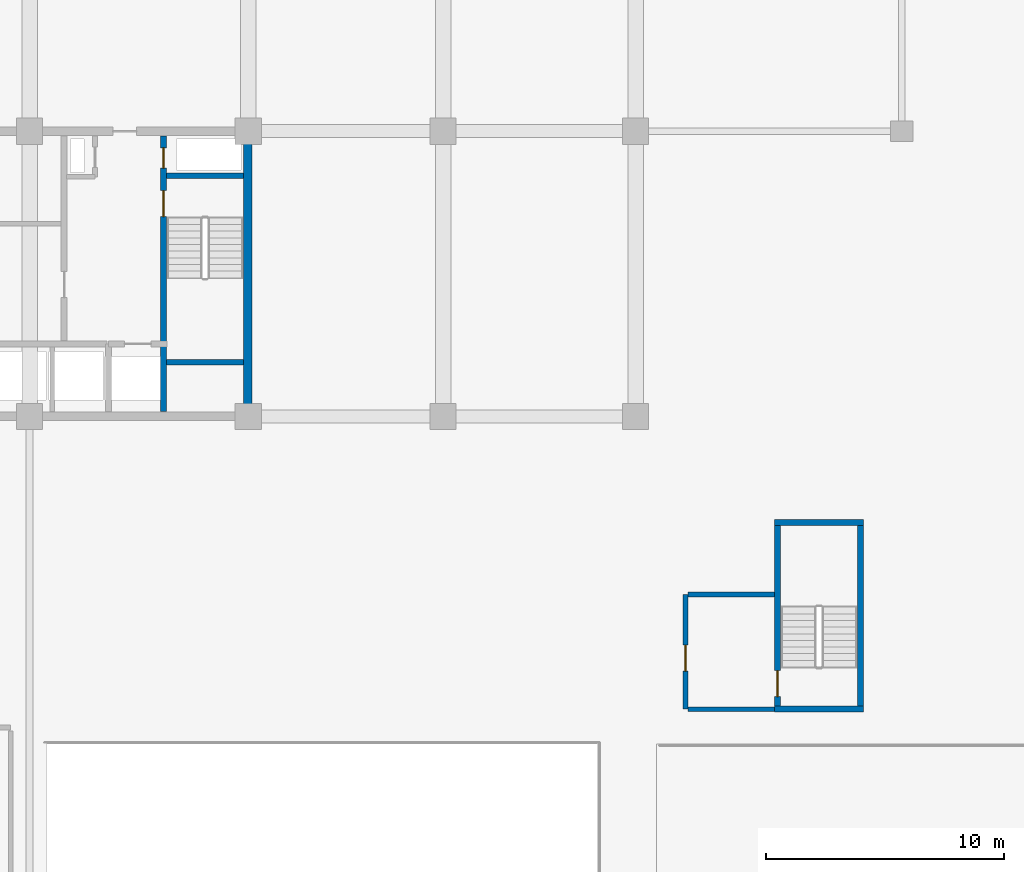
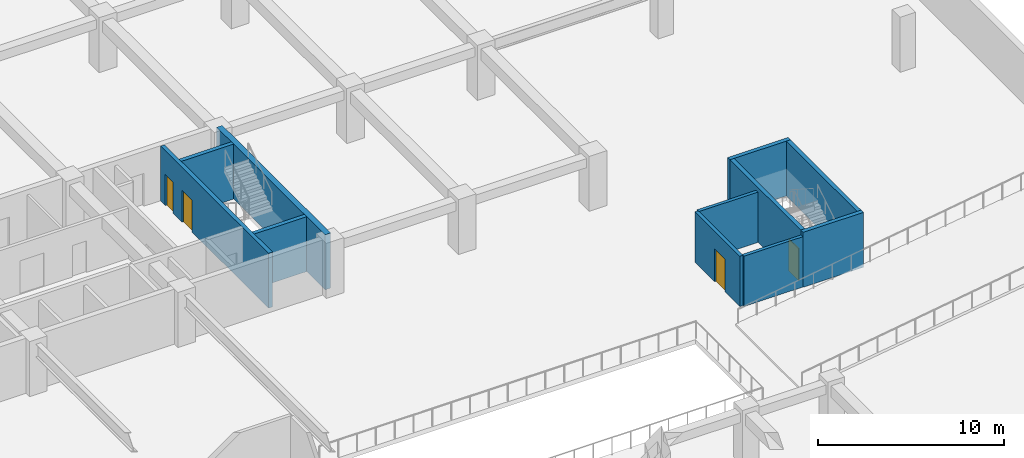
# One storey, part 11 of 23: 11 walls, 4 doors, 4 openings.
"""IFC4 building model written with IfcOpenShell, lengths in metres."""

from ifc_helpers import new_model, si_unit, direction, frame, frame_2d, origin, place, context, subcontext, project, spatial, rectangle, extrude, material, layer, layer_set, type_object, element, fill, save


model = new_model("IFC4")

# Units and contexts
model_context = context("Model", 3, precision=1e-05, world=origin(), true_north=direction((0.0, 1.0)))
body_context = subcontext(model_context, "Body", "Model", "MODEL_VIEW")
ifc_project = project(units=[si_unit("LENGTHUNIT", "METRE"), si_unit("AREAUNIT", "SQUARE_METRE"), si_unit("VOLUMEUNIT", "CUBIC_METRE"), si_unit("PLANEANGLEUNIT", "RADIAN"), si_unit("MASSUNIT", "GRAM", prefix="KILO")], contexts=[model_context])

# Site, building, storey
site_placement = place(None, origin())
site = spatial("IfcSite", under=ifc_project, at=site_placement, CompositionType="ELEMENT")
building_placement = place(site_placement, origin())
building = spatial("IfcBuilding", under=site, at=building_placement, Name="Korimba Cascade Residences", CompositionType="ELEMENT")
storey_placement = place(building_placement, frame((0.0, 0.0, -3.60009765625)))
storey = spatial("IfcBuildingStorey", under=building, at=storey_placement, Name="B01", CompositionType="ELEMENT", Elevation=-3.60009765625)

# Wall
ifc_material_1 = material(Name="Concrete C65/80", Category="concrete")
ifc_layer_1 = layer(ifc_material_1, 0.35009765625)
ifc_layer_set_1 = layer_set([ifc_layer_1], Name="Concrete C65/80")
wall_type_1 = type_object("IfcWallType", Name="WAL-CORE-350", PredefinedType="SHEAR", material=ifc_layer_set_1)
wall_1_placement = place(storey_placement, frame((112.074951171875, 55.375, 0.0), z_axis=(0.0, 0.0, 1.0), x_axis=(0.0, 1.0, 0.0)))
element("IfcWall", 1, at=wall_1_placement, inside=storey, type_object=wall_type_1, Name="B01 Core Shear Wall CW-B01-T1-E", PredefinedType="SHEAR", context=body_context, shape_type="SweptSolid", body=[
    extrude(rectangle(XDim=11.64990234375, YDim=0.35009765625, at=frame_2d((5.824951171875, 0.0))), origin(), (0.0, 0.0, 1.0), 3.60009765625),
])

# Wall, opening, door
ifc_material_2 = material(Name="Concrete C40/50", Category="concrete")
ifc_layer_2 = layer(ifc_material_2, 0.199951171875)
ifc_layer_set_2 = layer_set([ifc_layer_2], Name="Concrete C40/50")
wall_type_2 = type_object("IfcWallType", Name="WAL-PART-200", PredefinedType="PARTITIONING", material=ifc_layer_set_2)
wall_2_placement = place(storey_placement, frame((130.5, 42.875, 0.0), z_axis=(0.0, 0.0, 1.0), x_axis=(0.0, 1.0, 0.0)))
wall_2 = element("IfcWall", 2, at=wall_2_placement, inside=storey, type_object=wall_type_2, Name="B01 Partition Wall CW-B01-PLEW", PredefinedType="PARTITIONING", context=body_context, shape_type="SweptSolid", body=[
    extrude(rectangle(XDim=4.824951171875, YDim=0.199951171875, at=frame_2d((2.41259765625, 0.0))), origin(), (0.0, 0.0, 1.0), 3.300048828125),
])
opening_1_placement = place(wall_2_placement, frame((1.60009765625, 0.0, 0.0)))
opening_1 = element("IfcOpeningElement", 3, at=opening_1_placement, cuts=wall_2, Name="Opening D-FD6", PredefinedType="OPENING", context=body_context, shape_type="SweptSolid", body=[
    extrude(rectangle(XDim=1.10009765625, YDim=2.14990234375, at=frame_2d((0.550048828125, 1.074951171875))), frame((0.0, 0.10986328125, 0.0), z_axis=(0.0, -1.0, 0.0), x_axis=(1.0, 0.0, 0.0)), (0.0, 0.0, 1.0), 0.219970703125),
])
ifc_material_3 = material(Name="Fire-Rated Timber Stair Lobby Door", Category="wood")
door_type_1 = type_object("IfcDoorType", Name="DR-FD90-1100", OperationType="NOTDEFINED", PredefinedType="DOOR", material=ifc_material_3)
door_1_placement = place(opening_1_placement, origin())
door_1 = element("IfcDoor", 4, at=door_1_placement, inside=storey, type_object=door_type_1, Name="B01 East Stair Vestibule Door", OperationType="SINGLE_SWING_LEFT", OverallHeight=2.14990234375, OverallWidth=1.10009765625, PredefinedType="DOOR", context=body_context, shape_type="SweptSolid", body=[
    extrude(rectangle(XDim=1.10009765625, YDim=2.14990234375, at=frame_2d((0.550048828125, 1.074951171875))), frame((0.0, 0.02490234375, 0.0), z_axis=(0.0, -1.0, 0.0), x_axis=(1.0, 0.0, 0.0)), (0.0, 0.0, 1.0), 0.050048828125),
])
fill(opening_1, door_1)

# Walls
for number, where, z_axis, x_axis, name in (
    (5, (130.60009765625, 42.875, 0.0), (0.0, 0.0, 1.0), (1.0, 0.0, 0.0), "B01 Partition Wall CW-B01-PLES"),
    (6, (130.60009765625, 47.699951171875, 0.0), (0.0, 0.0, 1.0), (1.0, 0.0, 0.0), "B01 Partition Wall CW-B01-PLEN"),
):
    element("IfcWall", number, at=place(storey_placement, frame(where, z_axis=z_axis, x_axis=x_axis)), inside=storey, type_object=wall_type_2, Name=name, PredefinedType="PARTITIONING", context=body_context, shape_type="SweptSolid", body=[
        extrude(rectangle(XDim=3.64990234375, YDim=0.199951171875, at=frame_2d((1.824951171875, 0.0))), origin(), (0.0, 0.0, 1.0), 3.300048828125),
    ])

# Wall, openings, doors
ifc_material_4 = material(Name="Concrete C50/60", Category="concrete")
ifc_layer_3 = layer(ifc_material_4, 0.25)
ifc_layer_set_3 = layer_set([ifc_layer_3], Name="Concrete C50/60")
wall_type_3 = type_object("IfcWallType", Name="WAL-SHAFT-250", PredefinedType="SHEAR", material=ifc_layer_set_3)
wall_3_placement = place(storey_placement, frame((108.534912109375, 55.39990234375, 0.0), z_axis=(0.0, 0.0, 1.0), x_axis=(0.0, 1.0, 0.0)))
wall_3 = element("IfcWall", 7, at=wall_3_placement, inside=storey, type_object=wall_type_3, Name="B01 Core Shear Wall CW-B01-T1-STW2W", PredefinedType="SHEAR", context=body_context, shape_type="SweptSolid", body=[
    extrude(rectangle(XDim=11.60009765625, YDim=0.25, at=frame_2d((5.800048828125, 0.0))), origin(), (0.0, 0.0, 1.0), 3.60009765625),
])
opening_2_placement = place(wall_3_placement, frame((8.199951171875, 0.0, 0.0)))
opening_2 = element("IfcOpeningElement", 8, at=opening_2_placement, cuts=wall_3, Name="Opening D-FD1", PredefinedType="OPENING", context=body_context, shape_type="SweptSolid", body=[
    extrude(rectangle(XDim=1.10009765625, YDim=2.10009765625, at=frame_2d((0.550048828125, 1.050048828125))), frame((0.0, 0.135009765625, 0.0), z_axis=(0.0, -1.0, 0.0), x_axis=(1.0, 0.0, 0.0)), (0.0, 0.0, 1.0), 0.27001953125),
])
opening_3_placement = place(wall_3_placement, frame((10.25, 0.0, 0.0)))
opening_3 = element("IfcOpeningElement", 9, at=opening_3_placement, cuts=wall_3, Name="Opening D-RS1", PredefinedType="OPENING", context=body_context, shape_type="SweptSolid", body=[
    extrude(rectangle(XDim=0.85009765625, YDim=2.050048828125, at=frame_2d((0.425048828125, 1.02490234375))), frame((0.0, 0.135009765625, 0.0), z_axis=(0.0, -1.0, 0.0), x_axis=(1.0, 0.0, 0.0)), (0.0, 0.0, 1.0), 0.27001953125),
])
ifc_material_5 = material(Name="Fire-Rated Steel Core Door", Category="steel")
door_type_2 = type_object("IfcDoorType", Name="DR-FD120-1100", OperationType="NOTDEFINED", PredefinedType="DOOR", material=ifc_material_5)
door_2_placement = place(opening_2_placement, origin())
door_2 = element("IfcDoor", 10, at=door_2_placement, inside=storey, type_object=door_type_2, Name="B01 Fire Stair ST-W2 Door", OperationType="SINGLE_SWING_LEFT", OverallHeight=2.10009765625, OverallWidth=1.10009765625, PredefinedType="DOOR", context=body_context, shape_type="SweptSolid", body=[
    extrude(rectangle(XDim=1.10009765625, YDim=2.10009765625, at=frame_2d((0.550048828125, 1.050048828125))), frame((0.0, 0.02490234375, 0.0), z_axis=(0.0, -1.0, 0.0), x_axis=(1.0, 0.0, 0.0)), (0.0, 0.0, 1.0), 0.050048828125),
])
fill(opening_2, door_2)
ifc_material_6 = material(Name="Fire-Rated Steel Riser Access Door", Category="steel")
door_type_3 = type_object("IfcDoorType", Name="DR-FD60-850", OperationType="NOTDEFINED", PredefinedType="DOOR", material=ifc_material_6)
door_3_placement = place(opening_3_placement, origin())
door_3 = element("IfcDoor", 11, at=door_3_placement, inside=storey, type_object=door_type_3, Name="B01 East Riser Door", OperationType="SINGLE_SWING_RIGHT", OverallHeight=2.050048828125, OverallWidth=0.85009765625, PredefinedType="DOOR", context=body_context, shape_type="SweptSolid", body=[
    extrude(rectangle(XDim=0.85009765625, YDim=2.050048828125, at=frame_2d((0.425048828125, 1.02490234375))), frame((0.0, 0.02490234375, 0.0), z_axis=(0.0, -1.0, 0.0), x_axis=(1.0, 0.0, 0.0)), (0.0, 0.0, 1.0), 0.050048828125),
])
fill(opening_3, door_3)

# Walls
for number, where, z_axis, x_axis, name in (
    (12, (108.659912109375, 57.47509765625, 0.0), (0.0, 0.0, 1.0), (1.0, 0.0, 0.0), "B01 Core Shear Wall CW-B01-T1-STW2S"),
    (13, (108.659912109375, 65.324951171875, 0.0), (0.0, 0.0, 1.0), (1.0, 0.0, 0.0), "B01 Core Shear Wall CW-B01-T1-STW2N"),
):
    element("IfcWall", number, at=place(storey_placement, frame(where, z_axis=z_axis, x_axis=x_axis)), inside=storey, type_object=wall_type_3, Name=name, PredefinedType="SHEAR", context=body_context, shape_type="SweptSolid", body=[
        extrude(rectangle(XDim=3.239990234375, YDim=0.25, at=frame_2d((1.6201171875, 0.0))), origin(), (0.0, 0.0, 1.0), 3.60009765625),
    ])

# Wall, opening, door
wall_4_placement = place(storey_placement, frame((134.375, 43.0, 0.0), z_axis=(0.0, 0.0, 1.0), x_axis=(0.0, 1.0, 0.0)))
wall_4 = element("IfcWall", 14, at=wall_4_placement, inside=storey, type_object=wall_type_3, Name="B01 Core Shear Wall CW-B01-STP2W", PredefinedType="SHEAR", context=body_context, shape_type="SweptSolid", body=[
    extrude(rectangle(XDim=7.60009765625, YDim=0.25, at=frame_2d((3.800048828125, 0.0))), origin(), (0.0, 0.0, 1.0), 3.60009765625),
])
opening_4_placement = place(wall_4_placement, frame((0.39990234375, 0.0, 0.0)))
opening_4 = element("IfcOpeningElement", 15, at=opening_4_placement, cuts=wall_4, Name="Opening D-FD1", PredefinedType="OPENING", context=body_context, shape_type="SweptSolid", body=[
    extrude(rectangle(XDim=1.10009765625, YDim=2.10009765625, at=frame_2d((0.550048828125, 1.050048828125))), frame((0.0, 0.135009765625, 0.0), z_axis=(0.0, -1.0, 0.0), x_axis=(1.0, 0.0, 0.0)), (0.0, 0.0, 1.0), 0.27001953125),
])
door_4_placement = place(opening_4_placement, origin())
door_4 = element("IfcDoor", 16, at=door_4_placement, inside=storey, type_object=door_type_2, Name="B01 Podium Stair ST-P2 Door", OperationType="SINGLE_SWING_RIGHT", OverallHeight=2.10009765625, OverallWidth=1.10009765625, PredefinedType="DOOR", context=body_context, shape_type="SweptSolid", body=[
    extrude(rectangle(XDim=1.10009765625, YDim=2.10009765625, at=frame_2d((0.550048828125, 1.050048828125))), frame((0.0, 0.02490234375, 0.0), z_axis=(0.0, -1.0, 0.0), x_axis=(1.0, 0.0, 0.0)), (0.0, 0.0, 1.0), 0.050048828125),
])
fill(opening_4, door_4)

# Walls
wall_5_placement = place(storey_placement, frame((137.864990234375, 43.0, 0.0), z_axis=(0.0, 0.0, 1.0), x_axis=(0.0, 1.0, 0.0)))
element("IfcWall", 17, at=wall_5_placement, inside=storey, type_object=wall_type_3, Name="B01 Core Shear Wall CW-B01-STP2E", PredefinedType="SHEAR", context=body_context, shape_type="SweptSolid", body=[
    extrude(rectangle(XDim=7.60009765625, YDim=0.25, at=frame_2d((3.800048828125, 0.0))), origin(), (0.0, 0.0, 1.0), 3.60009765625),
])
for number, where, z_axis, x_axis, name in (
    (18, (134.25, 42.875, 0.0), (0.0, 0.0, 1.0), (1.0, 0.0, 0.0), "B01 Core Shear Wall CW-B01-STP2S"),
    (19, (134.25, 50.72509765625, 0.0), (0.0, 0.0, 1.0), (1.0, 0.0, 0.0), "B01 Core Shear Wall CW-B01-STP2N"),
):
    element("IfcWall", number, at=place(storey_placement, frame(where, z_axis=z_axis, x_axis=x_axis)), inside=storey, type_object=wall_type_3, Name=name, PredefinedType="SHEAR", context=body_context, shape_type="SweptSolid", body=[
        extrude(rectangle(XDim=3.739990234375, YDim=0.25, at=frame_2d((1.8701171875, 0.0))), origin(), (0.0, 0.0, 1.0), 3.60009765625),
    ])

save(model, "model.ifc")
